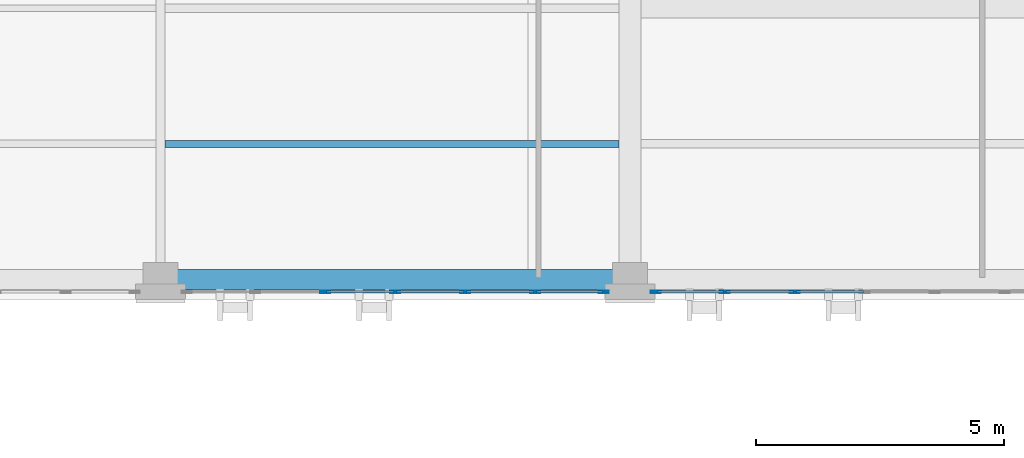
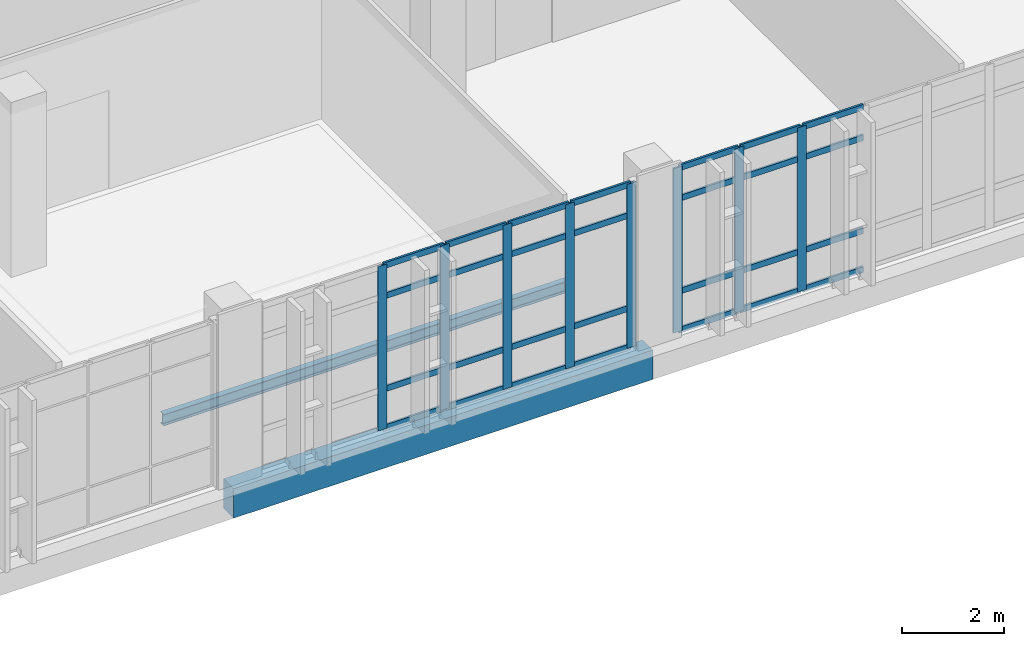
# One storey, part 33 of 193: 36 members, 2 beams, 2 elements without a shape of their own.
"""IFC4 building model written with IfcOpenShell, lengths in metres."""

from ifc_helpers import new_model, si_unit, direction, frame, origin, origin_2d, place, context, subcontext, project, spatial, rectangle, hollow_rectangle, i_section, extrude, material, layer, layer_set, material_profile, profile_set, type_object, element, aggregate, save


model = new_model("IFC4")

# Units and contexts
model_context = context("Model", 3, precision=1e-05, world=origin(), true_north=direction((0.0, 1.0)))
body_context = subcontext(model_context, "Body", "Model", "MODEL_VIEW")
ifc_project = project(units=[si_unit("LENGTHUNIT", "METRE"), si_unit("AREAUNIT", "SQUARE_METRE"), si_unit("VOLUMEUNIT", "CUBIC_METRE"), si_unit("PLANEANGLEUNIT", "RADIAN"), si_unit("MASSUNIT", "GRAM", prefix="KILO")], contexts=[model_context])

# Site, building, storey
site_placement = place(None, origin())
site = spatial("IfcSite", under=ifc_project, at=site_placement, CompositionType="ELEMENT")
building_placement = place(site_placement, origin())
building = spatial("IfcBuilding", under=site, at=building_placement, Name="Qalavern Law Courts", CompositionType="ELEMENT")
storey_placement = place(building_placement, frame((0.0, 0.0, 10.199951171875)))
storey = spatial("IfcBuildingStorey", under=building, at=storey_placement, Name="L02", CompositionType="ELEMENT", Elevation=10.199951171875)

# Curtain wall, members
ifc_material_1 = material(Name="Anodised aluminium and insulated glazing", Category="aluminium")
ifc_layer = layer(ifc_material_1, 0.18505859375)
ifc_layer_set = layer_set([ifc_layer], Name="Anodised aluminium and insulated glazing")
curtain_wall_type = type_object("IfcCurtainWallType", Name="ENV-CW-HALL", PredefinedType="USERDEFINED", material=ifc_layer_set)
curtain_wall_1_placement = place(storey_placement, origin())
curtain_wall_1 = element("IfcCurtainWall", 1, at=curtain_wall_1_placement, inside=storey, type_object=curtain_wall_type, Name="V2 unitised curtain wall L02 south 3", ObjectType="UNITISED CURTAIN WALL", PredefinedType="USERDEFINED")
ifc_material_2 = material(Name="Anodised aluminium", Category="aluminium")
ifc_material_profile_1 = material_profile(ifc_material_2, hollow_rectangle(XDim=0.048095703125, YDim=0.199951171875, WallThickness=0.00439453125, at=origin_2d()), Name="ALU MULLION 48x200")
ifc_profile_set_1 = profile_set([ifc_material_profile_1], Name="Anodised aluminium")
member_type_1 = type_object("IfcMemberType", Name="ENV-CWM-48x200", PredefinedType="MULLION", material=ifc_profile_set_1)
member_1_placement = place(storey_placement, frame((66.301025390625, 5.35498046875, 0.0), z_axis=(0.0, 0.0, 1.0), x_axis=(0.0, 1.0, 0.0)))
member_1 = element("IfcMember", 2, at=member_1_placement, type_object=member_type_1, Name="CW-02 mullion 3", PredefinedType="MULLION", context=body_context, shape_type="SweptSolid", body=[
    extrude(hollow_rectangle(XDim=0.048095703125, YDim=0.199951171875, WallThickness=0.00439453125, at=origin_2d()), origin(), (0.0, 0.0, 1.0), 3.9150390625),
])
member_2_placement = place(storey_placement, frame((67.7099609375, 5.35498046875, 0.0), z_axis=(0.0, 0.0, 1.0), x_axis=(0.0, 1.0, 0.0)))
member_2 = element("IfcMember", 3, at=member_2_placement, type_object=member_type_1, Name="CW-02 mullion 4", PredefinedType="MULLION", context=body_context, shape_type="SweptSolid", body=[
    extrude(hollow_rectangle(XDim=0.048095703125, YDim=0.199951171875, WallThickness=0.00439453125, at=origin_2d()), origin(), (0.0, 0.0, 1.0), 3.9150390625),
])
member_3_placement = place(storey_placement, frame((69.119140625, 5.35498046875, 0.0), z_axis=(0.0, 0.0, 1.0), x_axis=(0.0, 1.0, 0.0)))
member_3 = element("IfcMember", 4, at=member_3_placement, type_object=member_type_1, Name="CW-02 mullion 5", PredefinedType="MULLION", context=body_context, shape_type="SweptSolid", body=[
    extrude(hollow_rectangle(XDim=0.048095703125, YDim=0.199951171875, WallThickness=0.00439453125, at=origin_2d()), origin(), (0.0, 0.0, 1.0), 3.9150390625),
])
member_4_placement = place(storey_placement, frame((70.528076171875, 5.35498046875, 0.0), z_axis=(0.0, 0.0, 1.0), x_axis=(0.0, 1.0, 0.0)))
member_4 = element("IfcMember", 5, at=member_4_placement, type_object=member_type_1, Name="CW-02 mullion 6", PredefinedType="MULLION", context=body_context, shape_type="SweptSolid", body=[
    extrude(hollow_rectangle(XDim=0.048095703125, YDim=0.199951171875, WallThickness=0.00439453125, at=origin_2d()), origin(), (0.0, 0.0, 1.0), 3.9150390625),
])
member_5_placement = place(storey_placement, frame((71.9130859375, 5.35498046875, 0.0), z_axis=(0.0, 0.0, 1.0), x_axis=(0.0, 1.0, 0.0)))
member_5 = element("IfcMember", 6, at=member_5_placement, type_object=member_type_1, Name="CW-02 mullion 7", PredefinedType="MULLION", context=body_context, shape_type="SweptSolid", body=[
    extrude(hollow_rectangle(XDim=0.048095703125, YDim=0.199951171875, WallThickness=0.00439453125, at=origin_2d()), origin(), (0.0, 0.0, 1.0), 3.9150390625),
])

curtain_wall_2_placement = place(storey_placement, origin())
curtain_wall_2 = element("IfcCurtainWall", 7, at=curtain_wall_2_placement, inside=storey, type_object=curtain_wall_type, Name="V2 unitised curtain wall L02 south 4", ObjectType="UNITISED CURTAIN WALL", PredefinedType="USERDEFINED")
member_6_placement = place(storey_placement, frame((72.961181640625, 5.35498046875, 0.0), z_axis=(0.0, 0.0, 1.0), x_axis=(0.0, 1.0, 0.0)))
member_6 = element("IfcMember", 8, at=member_6_placement, type_object=member_type_1, Name="CW-02 mullion 1", PredefinedType="MULLION", context=body_context, shape_type="SweptSolid", body=[
    extrude(hollow_rectangle(XDim=0.048095703125, YDim=0.199951171875, WallThickness=0.00439453125, at=origin_2d()), origin(), (0.0, 0.0, 1.0), 3.9150390625),
])
member_7_placement = place(storey_placement, frame((74.34619140625, 5.35498046875, 0.0), z_axis=(0.0, 0.0, 1.0), x_axis=(0.0, 1.0, 0.0)))
member_7 = element("IfcMember", 9, at=member_7_placement, type_object=member_type_1, Name="CW-02 mullion 2", PredefinedType="MULLION", context=body_context, shape_type="SweptSolid", body=[
    extrude(hollow_rectangle(XDim=0.048095703125, YDim=0.199951171875, WallThickness=0.00439453125, at=origin_2d()), origin(), (0.0, 0.0, 1.0), 3.9150390625),
])
member_8_placement = place(storey_placement, frame((75.755126953125, 5.35498046875, 0.0), z_axis=(0.0, 0.0, 1.0), x_axis=(0.0, 1.0, 0.0)))
member_8 = element("IfcMember", 10, at=member_8_placement, type_object=member_type_1, Name="CW-02 mullion 3", PredefinedType="MULLION", context=body_context, shape_type="SweptSolid", body=[
    extrude(hollow_rectangle(XDim=0.048095703125, YDim=0.199951171875, WallThickness=0.00439453125, at=origin_2d()), origin(), (0.0, 0.0, 1.0), 3.9150390625),
])

# Member
ifc_material_profile_2 = material_profile(ifc_material_2, hollow_rectangle(XDim=0.048095703125, YDim=0.139892578125, WallThickness=0.00390625, at=origin_2d()), Name="ALU TRANSOM 48x140")
ifc_profile_set_2 = profile_set([ifc_material_profile_2], Name="Anodised aluminium")
member_type_2 = type_object("IfcMemberType", Name="ENV-CWT-48x140", PredefinedType="USERDEFINED", material=ifc_profile_set_2)
member_9_placement = place(storey_placement, frame((66.324951171875, 5.35498046875, 0.024169921875), z_axis=(1.0, 0.0, 0.0), x_axis=(0.0, 1.0, 0.0)))
member_9 = element("IfcMember", 11, at=member_9_placement, type_object=member_type_2, Name="CW-02 transom 3.1", ObjectType="TRANSOM", PredefinedType="USERDEFINED", context=body_context, shape_type="SweptSolid", body=[
    extrude(hollow_rectangle(XDim=0.048095703125, YDim=0.139892578125, WallThickness=0.00390625, at=origin_2d()), origin(), (0.0, 0.0, 1.0), 1.361083984375),
])

member_10_placement = place(storey_placement, frame((66.324951171875, 5.35498046875, 0.949951171875), z_axis=(1.0, 0.0, 0.0), x_axis=(0.0, 1.0, 0.0)))
member_10 = element("IfcMember", 12, at=member_10_placement, type_object=member_type_2, Name="CW-02 transom 3.2", ObjectType="TRANSOM", PredefinedType="USERDEFINED", context=body_context, shape_type="SweptSolid", body=[
    extrude(hollow_rectangle(XDim=0.048095703125, YDim=0.139892578125, WallThickness=0.00390625, at=origin_2d()), origin(), (0.0, 0.0, 1.0), 1.361083984375),
])

member_11_placement = place(storey_placement, frame((66.324951171875, 5.35498046875, 3.1650390625), z_axis=(1.0, 0.0, 0.0), x_axis=(0.0, 1.0, 0.0)))
member_11 = element("IfcMember", 13, at=member_11_placement, type_object=member_type_2, Name="CW-02 transom 3.3", ObjectType="TRANSOM", PredefinedType="USERDEFINED", context=body_context, shape_type="SweptSolid", body=[
    extrude(hollow_rectangle(XDim=0.048095703125, YDim=0.139892578125, WallThickness=0.00390625, at=origin_2d()), origin(), (0.0, 0.0, 1.0), 1.361083984375),
])

member_12_placement = place(storey_placement, frame((66.324951171875, 5.35498046875, 3.89111328125), z_axis=(1.0, 0.0, 0.0), x_axis=(0.0, 1.0, 0.0)))
member_12 = element("IfcMember", 14, at=member_12_placement, type_object=member_type_2, Name="CW-02 transom 3.4", ObjectType="TRANSOM", PredefinedType="USERDEFINED", context=body_context, shape_type="SweptSolid", body=[
    extrude(hollow_rectangle(XDim=0.048095703125, YDim=0.139892578125, WallThickness=0.00390625, at=origin_2d()), origin(), (0.0, 0.0, 1.0), 1.361083984375),
])

member_13_placement = place(storey_placement, frame((67.73388671875, 5.35498046875, 0.024169921875), z_axis=(1.0, 0.0, 0.0), x_axis=(0.0, 1.0, 0.0)))
member_13 = element("IfcMember", 15, at=member_13_placement, type_object=member_type_2, Name="CW-02 transom 4.1", ObjectType="TRANSOM", PredefinedType="USERDEFINED", context=body_context, shape_type="SweptSolid", body=[
    extrude(hollow_rectangle(XDim=0.048095703125, YDim=0.139892578125, WallThickness=0.00390625, at=origin_2d()), origin(), (0.0, 0.0, 1.0), 1.361083984375),
])

member_14_placement = place(storey_placement, frame((67.73388671875, 5.35498046875, 0.949951171875), z_axis=(1.0, 0.0, 0.0), x_axis=(0.0, 1.0, 0.0)))
member_14 = element("IfcMember", 16, at=member_14_placement, type_object=member_type_2, Name="CW-02 transom 4.2", ObjectType="TRANSOM", PredefinedType="USERDEFINED", context=body_context, shape_type="SweptSolid", body=[
    extrude(hollow_rectangle(XDim=0.048095703125, YDim=0.139892578125, WallThickness=0.00390625, at=origin_2d()), origin(), (0.0, 0.0, 1.0), 1.361083984375),
])

member_15_placement = place(storey_placement, frame((67.73388671875, 5.35498046875, 3.1650390625), z_axis=(1.0, 0.0, 0.0), x_axis=(0.0, 1.0, 0.0)))
member_15 = element("IfcMember", 17, at=member_15_placement, type_object=member_type_2, Name="CW-02 transom 4.3", ObjectType="TRANSOM", PredefinedType="USERDEFINED", context=body_context, shape_type="SweptSolid", body=[
    extrude(hollow_rectangle(XDim=0.048095703125, YDim=0.139892578125, WallThickness=0.00390625, at=origin_2d()), origin(), (0.0, 0.0, 1.0), 1.361083984375),
])

member_16_placement = place(storey_placement, frame((67.73388671875, 5.35498046875, 3.89111328125), z_axis=(1.0, 0.0, 0.0), x_axis=(0.0, 1.0, 0.0)))
member_16 = element("IfcMember", 18, at=member_16_placement, type_object=member_type_2, Name="CW-02 transom 4.4", ObjectType="TRANSOM", PredefinedType="USERDEFINED", context=body_context, shape_type="SweptSolid", body=[
    extrude(hollow_rectangle(XDim=0.048095703125, YDim=0.139892578125, WallThickness=0.00390625, at=origin_2d()), origin(), (0.0, 0.0, 1.0), 1.361083984375),
])

member_17_placement = place(storey_placement, frame((69.14306640625, 5.35498046875, 0.024169921875), z_axis=(1.0, 0.0, 0.0), x_axis=(0.0, 1.0, 0.0)))
member_17 = element("IfcMember", 19, at=member_17_placement, type_object=member_type_2, Name="CW-02 transom 5.1", ObjectType="TRANSOM", PredefinedType="USERDEFINED", context=body_context, shape_type="SweptSolid", body=[
    extrude(hollow_rectangle(XDim=0.048095703125, YDim=0.139892578125, WallThickness=0.00390625, at=origin_2d()), origin(), (0.0, 0.0, 1.0), 1.361083984375),
])

member_18_placement = place(storey_placement, frame((69.14306640625, 5.35498046875, 0.949951171875), z_axis=(1.0, 0.0, 0.0), x_axis=(0.0, 1.0, 0.0)))
member_18 = element("IfcMember", 20, at=member_18_placement, type_object=member_type_2, Name="CW-02 transom 5.2", ObjectType="TRANSOM", PredefinedType="USERDEFINED", context=body_context, shape_type="SweptSolid", body=[
    extrude(hollow_rectangle(XDim=0.048095703125, YDim=0.139892578125, WallThickness=0.00390625, at=origin_2d()), origin(), (0.0, 0.0, 1.0), 1.361083984375),
])

member_19_placement = place(storey_placement, frame((69.14306640625, 5.35498046875, 3.1650390625), z_axis=(1.0, 0.0, 0.0), x_axis=(0.0, 1.0, 0.0)))
member_19 = element("IfcMember", 21, at=member_19_placement, type_object=member_type_2, Name="CW-02 transom 5.3", ObjectType="TRANSOM", PredefinedType="USERDEFINED", context=body_context, shape_type="SweptSolid", body=[
    extrude(hollow_rectangle(XDim=0.048095703125, YDim=0.139892578125, WallThickness=0.00390625, at=origin_2d()), origin(), (0.0, 0.0, 1.0), 1.361083984375),
])

member_20_placement = place(storey_placement, frame((69.14306640625, 5.35498046875, 3.89111328125), z_axis=(1.0, 0.0, 0.0), x_axis=(0.0, 1.0, 0.0)))
member_20 = element("IfcMember", 22, at=member_20_placement, type_object=member_type_2, Name="CW-02 transom 5.4", ObjectType="TRANSOM", PredefinedType="USERDEFINED", context=body_context, shape_type="SweptSolid", body=[
    extrude(hollow_rectangle(XDim=0.048095703125, YDim=0.139892578125, WallThickness=0.00390625, at=origin_2d()), origin(), (0.0, 0.0, 1.0), 1.361083984375),
])

member_21_placement = place(storey_placement, frame((70.552001953125, 5.35498046875, 0.024169921875), z_axis=(1.0, 0.0, 0.0), x_axis=(0.0, 1.0, 0.0)))
member_21 = element("IfcMember", 23, at=member_21_placement, type_object=member_type_2, Name="CW-02 transom 6.1", ObjectType="TRANSOM", PredefinedType="USERDEFINED", context=body_context, shape_type="SweptSolid", body=[
    extrude(hollow_rectangle(XDim=0.048095703125, YDim=0.139892578125, WallThickness=0.00390625, at=origin_2d()), origin(), (0.0, 0.0, 1.0), 1.337158203125),
])

member_22_placement = place(storey_placement, frame((70.552001953125, 5.35498046875, 0.949951171875), z_axis=(1.0, 0.0, 0.0), x_axis=(0.0, 1.0, 0.0)))
member_22 = element("IfcMember", 24, at=member_22_placement, type_object=member_type_2, Name="CW-02 transom 6.2", ObjectType="TRANSOM", PredefinedType="USERDEFINED", context=body_context, shape_type="SweptSolid", body=[
    extrude(hollow_rectangle(XDim=0.048095703125, YDim=0.139892578125, WallThickness=0.00390625, at=origin_2d()), origin(), (0.0, 0.0, 1.0), 1.337158203125),
])

member_23_placement = place(storey_placement, frame((70.552001953125, 5.35498046875, 3.1650390625), z_axis=(1.0, 0.0, 0.0), x_axis=(0.0, 1.0, 0.0)))
member_23 = element("IfcMember", 25, at=member_23_placement, type_object=member_type_2, Name="CW-02 transom 6.3", ObjectType="TRANSOM", PredefinedType="USERDEFINED", context=body_context, shape_type="SweptSolid", body=[
    extrude(hollow_rectangle(XDim=0.048095703125, YDim=0.139892578125, WallThickness=0.00390625, at=origin_2d()), origin(), (0.0, 0.0, 1.0), 1.337158203125),
])

member_24_placement = place(storey_placement, frame((70.552001953125, 5.35498046875, 3.89111328125), z_axis=(1.0, 0.0, 0.0), x_axis=(0.0, 1.0, 0.0)))
member_24 = element("IfcMember", 26, at=member_24_placement, type_object=member_type_2, Name="CW-02 transom 6.4", ObjectType="TRANSOM", PredefinedType="USERDEFINED", context=body_context, shape_type="SweptSolid", body=[
    extrude(hollow_rectangle(XDim=0.048095703125, YDim=0.139892578125, WallThickness=0.00390625, at=origin_2d()), origin(), (0.0, 0.0, 1.0), 1.337158203125),
])

aggregate(curtain_wall_1, [member_1, member_2, member_3, member_4, member_5, member_9, member_10, member_11, member_12, member_13, member_14, member_15, member_16, member_17, member_18, member_19, member_20, member_21, member_22, member_23, member_24])

member_25_placement = place(storey_placement, frame((72.985107421875, 5.35498046875, 0.024169921875), z_axis=(1.0, 0.0, 0.0), x_axis=(0.0, 1.0, 0.0)))
member_25 = element("IfcMember", 27, at=member_25_placement, type_object=member_type_2, Name="CW-02 transom 1.1", ObjectType="TRANSOM", PredefinedType="USERDEFINED", context=body_context, shape_type="SweptSolid", body=[
    extrude(hollow_rectangle(XDim=0.048095703125, YDim=0.139892578125, WallThickness=0.00390625, at=origin_2d()), origin(), (0.0, 0.0, 1.0), 1.337158203125),
])

member_26_placement = place(storey_placement, frame((72.985107421875, 5.35498046875, 0.949951171875), z_axis=(1.0, 0.0, 0.0), x_axis=(0.0, 1.0, 0.0)))
member_26 = element("IfcMember", 28, at=member_26_placement, type_object=member_type_2, Name="CW-02 transom 1.2", ObjectType="TRANSOM", PredefinedType="USERDEFINED", context=body_context, shape_type="SweptSolid", body=[
    extrude(hollow_rectangle(XDim=0.048095703125, YDim=0.139892578125, WallThickness=0.00390625, at=origin_2d()), origin(), (0.0, 0.0, 1.0), 1.337158203125),
])

member_27_placement = place(storey_placement, frame((72.985107421875, 5.35498046875, 3.1650390625), z_axis=(1.0, 0.0, 0.0), x_axis=(0.0, 1.0, 0.0)))
member_27 = element("IfcMember", 29, at=member_27_placement, type_object=member_type_2, Name="CW-02 transom 1.3", ObjectType="TRANSOM", PredefinedType="USERDEFINED", context=body_context, shape_type="SweptSolid", body=[
    extrude(hollow_rectangle(XDim=0.048095703125, YDim=0.139892578125, WallThickness=0.00390625, at=origin_2d()), origin(), (0.0, 0.0, 1.0), 1.337158203125),
])

member_28_placement = place(storey_placement, frame((72.985107421875, 5.35498046875, 3.89111328125), z_axis=(1.0, 0.0, 0.0), x_axis=(0.0, 1.0, 0.0)))
member_28 = element("IfcMember", 30, at=member_28_placement, type_object=member_type_2, Name="CW-02 transom 1.4", ObjectType="TRANSOM", PredefinedType="USERDEFINED", context=body_context, shape_type="SweptSolid", body=[
    extrude(hollow_rectangle(XDim=0.048095703125, YDim=0.139892578125, WallThickness=0.00390625, at=origin_2d()), origin(), (0.0, 0.0, 1.0), 1.337158203125),
])

member_29_placement = place(storey_placement, frame((74.3701171875, 5.35498046875, 0.024169921875), z_axis=(1.0, 0.0, 0.0), x_axis=(0.0, 1.0, 0.0)))
member_29 = element("IfcMember", 31, at=member_29_placement, type_object=member_type_2, Name="CW-02 transom 2.1", ObjectType="TRANSOM", PredefinedType="USERDEFINED", context=body_context, shape_type="SweptSolid", body=[
    extrude(hollow_rectangle(XDim=0.048095703125, YDim=0.139892578125, WallThickness=0.00390625, at=origin_2d()), origin(), (0.0, 0.0, 1.0), 1.361083984375),
])

member_30_placement = place(storey_placement, frame((74.3701171875, 5.35498046875, 0.949951171875), z_axis=(1.0, 0.0, 0.0), x_axis=(0.0, 1.0, 0.0)))
member_30 = element("IfcMember", 32, at=member_30_placement, type_object=member_type_2, Name="CW-02 transom 2.2", ObjectType="TRANSOM", PredefinedType="USERDEFINED", context=body_context, shape_type="SweptSolid", body=[
    extrude(hollow_rectangle(XDim=0.048095703125, YDim=0.139892578125, WallThickness=0.00390625, at=origin_2d()), origin(), (0.0, 0.0, 1.0), 1.361083984375),
])

member_31_placement = place(storey_placement, frame((74.3701171875, 5.35498046875, 3.1650390625), z_axis=(1.0, 0.0, 0.0), x_axis=(0.0, 1.0, 0.0)))
member_31 = element("IfcMember", 33, at=member_31_placement, type_object=member_type_2, Name="CW-02 transom 2.3", ObjectType="TRANSOM", PredefinedType="USERDEFINED", context=body_context, shape_type="SweptSolid", body=[
    extrude(hollow_rectangle(XDim=0.048095703125, YDim=0.139892578125, WallThickness=0.00390625, at=origin_2d()), origin(), (0.0, 0.0, 1.0), 1.361083984375),
])

member_32_placement = place(storey_placement, frame((74.3701171875, 5.35498046875, 3.89111328125), z_axis=(1.0, 0.0, 0.0), x_axis=(0.0, 1.0, 0.0)))
member_32 = element("IfcMember", 34, at=member_32_placement, type_object=member_type_2, Name="CW-02 transom 2.4", ObjectType="TRANSOM", PredefinedType="USERDEFINED", context=body_context, shape_type="SweptSolid", body=[
    extrude(hollow_rectangle(XDim=0.048095703125, YDim=0.139892578125, WallThickness=0.00390625, at=origin_2d()), origin(), (0.0, 0.0, 1.0), 1.361083984375),
])

member_33_placement = place(storey_placement, frame((75.779296875, 5.35498046875, 0.024169921875), z_axis=(1.0, 0.0, 0.0), x_axis=(0.0, 1.0, 0.0)))
member_33 = element("IfcMember", 35, at=member_33_placement, type_object=member_type_2, Name="CW-02 transom 3.1", ObjectType="TRANSOM", PredefinedType="USERDEFINED", context=body_context, shape_type="SweptSolid", body=[
    extrude(hollow_rectangle(XDim=0.048095703125, YDim=0.139892578125, WallThickness=0.00390625, at=origin_2d()), origin(), (0.0, 0.0, 1.0), 1.36083984375),
])

member_34_placement = place(storey_placement, frame((75.779296875, 5.35498046875, 0.949951171875), z_axis=(1.0, 0.0, 0.0), x_axis=(0.0, 1.0, 0.0)))
member_34 = element("IfcMember", 36, at=member_34_placement, type_object=member_type_2, Name="CW-02 transom 3.2", ObjectType="TRANSOM", PredefinedType="USERDEFINED", context=body_context, shape_type="SweptSolid", body=[
    extrude(hollow_rectangle(XDim=0.048095703125, YDim=0.139892578125, WallThickness=0.00390625, at=origin_2d()), origin(), (0.0, 0.0, 1.0), 1.36083984375),
])

member_35_placement = place(storey_placement, frame((75.779296875, 5.35498046875, 3.1650390625), z_axis=(1.0, 0.0, 0.0), x_axis=(0.0, 1.0, 0.0)))
member_35 = element("IfcMember", 37, at=member_35_placement, type_object=member_type_2, Name="CW-02 transom 3.3", ObjectType="TRANSOM", PredefinedType="USERDEFINED", context=body_context, shape_type="SweptSolid", body=[
    extrude(hollow_rectangle(XDim=0.048095703125, YDim=0.139892578125, WallThickness=0.00390625, at=origin_2d()), origin(), (0.0, 0.0, 1.0), 1.36083984375),
])

member_36_placement = place(storey_placement, frame((75.779296875, 5.35498046875, 3.89111328125), z_axis=(1.0, 0.0, 0.0), x_axis=(0.0, 1.0, 0.0)))
member_36 = element("IfcMember", 38, at=member_36_placement, type_object=member_type_2, Name="CW-02 transom 3.4", ObjectType="TRANSOM", PredefinedType="USERDEFINED", context=body_context, shape_type="SweptSolid", body=[
    extrude(hollow_rectangle(XDim=0.048095703125, YDim=0.139892578125, WallThickness=0.00390625, at=origin_2d()), origin(), (0.0, 0.0, 1.0), 1.36083984375),
])

aggregate(curtain_wall_2, [member_6, member_7, member_8, member_25, member_26, member_27, member_28, member_29, member_30, member_31, member_32, member_33, member_34, member_35, member_36])

# Beams
ifc_material_3 = material(Name="Steel S355", Category="steel")
ifc_material_profile_3 = material_profile(ifc_material_3, i_section(OverallWidth=0.135009765625, OverallDepth=0.27001953125, WebThickness=0.006591796875, FlangeThickness=0.01025390625, FilletRadius=0.014892578125, at=origin_2d()), Name="IPE 270")
ifc_profile_set_3 = profile_set([ifc_material_profile_3], Name="Steel S355")
beam_type_1 = type_object("IfcBeamType", Name="STR-JST-IPE270", PredefinedType="JOIST", material=ifc_profile_set_3)
beam_1_placement = place(storey_placement, frame((63.07080078125, 8.333251953125, -0.425048828125), z_axis=(1.0, 0.0, 0.0), x_axis=(0.0, 1.0, 0.0)))
element("IfcBeam", 39, at=beam_1_placement, inside=storey, type_object=beam_type_1, Name="V2 secondary joist 4.1.1 L02", PredefinedType="JOIST", context=body_context, shape_type="SweptSolid", body=[
    extrude(i_section(OverallWidth=0.135009765625, OverallDepth=0.27001953125, WebThickness=0.006591796875, FlangeThickness=0.01025390625, FilletRadius=0.014892578125, at=origin_2d()), origin(), (0.0, 0.0, 1.0), 9.143310546875),
])
ifc_material_4 = material(Name="Concrete C40/50", Category="concrete")
ifc_material_profile_4 = material_profile(ifc_material_4, rectangle(XDim=0.39990234375, YDim=0.699951171875, at=origin_2d()), Name="RC 400x700")
ifc_profile_set_4 = profile_set([ifc_material_profile_4], Name="Concrete C40/50")
beam_type_2 = type_object("IfcBeamType", Name="STR-SP-RC400x700", PredefinedType="SPANDREL", material=ifc_profile_set_4)
beam_2_placement = place(storey_placement, frame((62.98291015625, 5.60009765625, -0.639892578125), z_axis=(1.0, 0.0, 0.0), x_axis=(0.0, 1.0, 0.0)))
element("IfcBeam", 40, at=beam_2_placement, inside=storey, type_object=beam_type_2, Name="V2 X-beam 1-4 L02", PredefinedType="SPANDREL", context=body_context, shape_type="SweptSolid", body=[
    extrude(rectangle(XDim=0.39990234375, YDim=0.699951171875, at=origin_2d()), origin(), (0.0, 0.0, 1.0), 9.4541015625),
])

save(model, "model.ifc")
